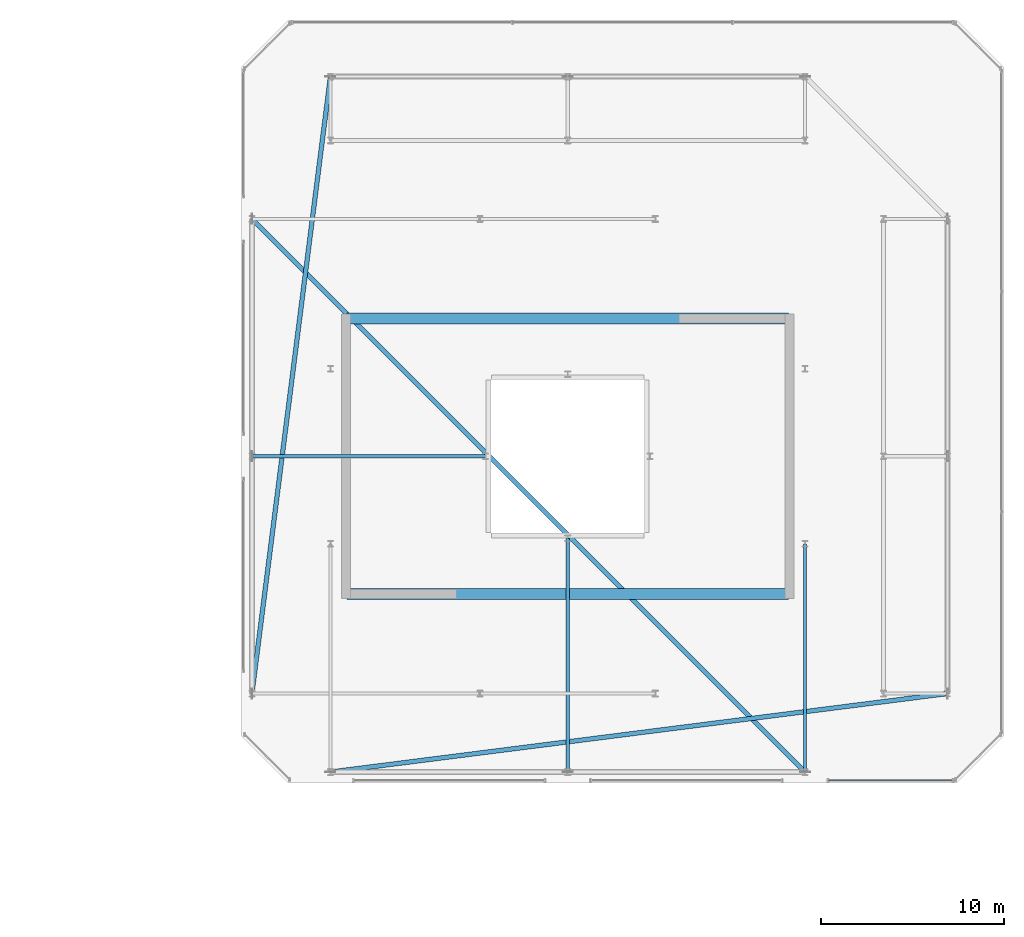
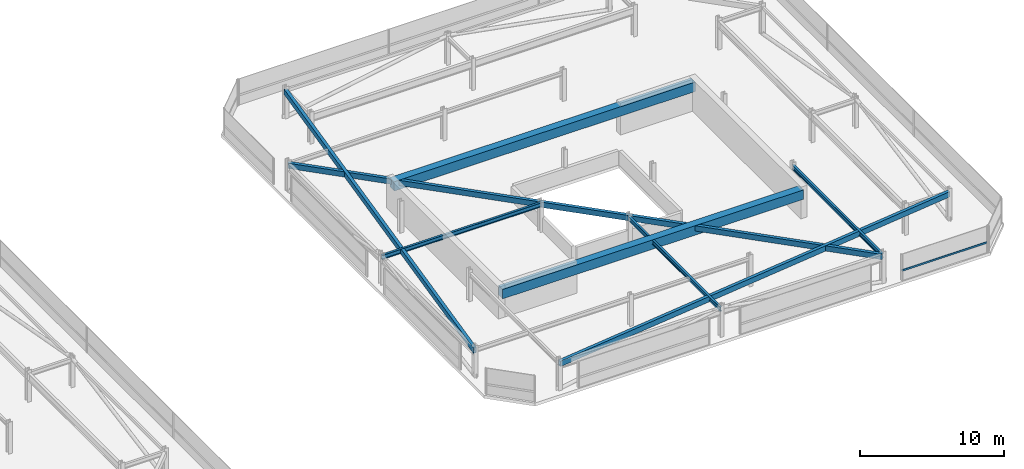
# One storey, part 30 of 42: 8 beams, 1 member, 1 element without a shape of its own.
"""IFC4 building model written with IfcOpenShell, lengths in metres."""

from ifc_helpers import new_model, si_unit, direction, frame, origin, origin_2d, place, context, subcontext, project, spatial, rectangle, hollow_rectangle, i_section, extrude, material, material_profile, profile_set, type_object, element, aggregate, save


model = new_model("IFC4")

# Units and contexts
model_context = context("Model", 3, precision=1e-05, world=origin(), true_north=direction((0.0, 1.0)))
body_context = subcontext(model_context, "Body", "Model", "MODEL_VIEW")
ifc_project = project(units=[si_unit("LENGTHUNIT", "METRE"), si_unit("AREAUNIT", "SQUARE_METRE"), si_unit("VOLUMEUNIT", "CUBIC_METRE"), si_unit("PLANEANGLEUNIT", "RADIAN"), si_unit("MASSUNIT", "GRAM", prefix="KILO")], contexts=[model_context])

# Site, building, storey
site_placement = place(None, origin())
site = spatial("IfcSite", under=ifc_project, at=site_placement, CompositionType="ELEMENT")
building_placement = place(site_placement, origin())
building = spatial("IfcBuilding", under=site, at=building_placement, Name="Thornwick Lancets Civic Towers", CompositionType="ELEMENT")
storey_placement = place(building_placement, frame((0.0, 0.0, 286.800048828125)))
storey = spatial("IfcBuildingStorey", under=building, at=storey_placement, Name="C03", CompositionType="ELEMENT", Elevation=286.800048828125)

# Beams
ifc_material_1 = material(Name="Concrete C60/75", Category="concrete")
ifc_material_profile_1 = material_profile(ifc_material_1, rectangle(XDim=0.60009765625, YDim=0.800048828125, at=origin_2d()), Name="RC 600x800")
ifc_profile_set_1 = profile_set([ifc_material_profile_1], Name="Concrete C60/75")
beam_type_1 = type_object("IfcBeamType", Name="BM_COUP_RC800", PredefinedType="BEAM", material=ifc_profile_set_1)
for number, where, z_axis, x_axis, name in (
    (1, (76.39990234375, 34.550048828125, 2.0400390625), (1.0, 0.0, 0.0), (0.0, 1.0, 0.0), "CB-C03-B1"),
    (2, (76.39990234375, 19.449951171875, 2.0400390625), (1.0, 0.0, 0.0), (0.0, 1.0, 0.0), "CB-C03-B2"),
):
    element("IfcBeam", number, at=place(storey_placement, frame(where, z_axis=z_axis, x_axis=x_axis)), inside=storey, type_object=beam_type_1, Name=name, PredefinedType="BEAM", context=body_context, shape_type="SweptSolid", body=[
        extrude(rectangle(XDim=0.60009765625, YDim=0.800048828125, at=origin_2d()), origin(), (0.0, 0.0, 1.0), 24.2001953125),
    ])
ifc_material_2 = material(Name="Steel S355JR", Category="steel")
ifc_material_profile_2 = material_profile(ifc_material_2, i_section(OverallWidth=0.173095703125, OverallDepth=0.36328125, WebThickness=0.009033203125, FlangeThickness=0.015625, FilletRadius=0.01025390625, at=origin_2d()), Name="UKB 356x171x67")
ifc_profile_set_2 = profile_set([ifc_material_profile_2], Name="Steel S355JR")
beam_type_2 = type_object("IfcBeamType", Name="BM_JOIST_356_67", PredefinedType="JOIST", material=ifc_profile_set_2)
beam_1_placement = place(storey_placement, frame((84.0, 27.0, 2.25830078125), z_axis=(-1.0, 0.0, 0.0), x_axis=(0.0, -1.0, 0.0)))
element("IfcBeam", 3, at=beam_1_placement, inside=storey, type_object=beam_type_2, Name="BM-RADIN-C03-B08", PredefinedType="JOIST", context=body_context, shape_type="SweptSolid", body=[
    extrude(i_section(OverallWidth=0.173095703125, OverallDepth=0.36328125, WebThickness=0.009033203125, FlangeThickness=0.015625, FilletRadius=0.01025390625, at=origin_2d()), origin(), (0.0, 0.0, 1.0), 12.800048828125),
])
beam_2_placement = place(storey_placement, frame((101.5, 22.199951171875, 2.25830078125), z_axis=(0.0, -1.0, 0.0), x_axis=(1.0, 0.0, 0.0)))
element("IfcBeam", 4, at=beam_2_placement, inside=storey, type_object=beam_type_2, Name="BM-RADIN-C03-B10", PredefinedType="JOIST", context=body_context, shape_type="SweptSolid", body=[
    extrude(i_section(OverallWidth=0.173095703125, OverallDepth=0.36328125, WebThickness=0.009033203125, FlangeThickness=0.015625, FilletRadius=0.01025390625, at=origin_2d()), origin(), (0.0, 0.0, 1.0), 12.5),
])
beam_3_placement = place(storey_placement, frame((88.5, 22.5, 2.25830078125), z_axis=(0.0, -1.0, 0.0), x_axis=(1.0, 0.0, 0.0)))
element("IfcBeam", 5, at=beam_3_placement, inside=storey, type_object=beam_type_2, Name="BM-RADIN-C03-B11", PredefinedType="JOIST", context=body_context, shape_type="SweptSolid", body=[
    extrude(i_section(OverallWidth=0.173095703125, OverallDepth=0.36328125, WebThickness=0.009033203125, FlangeThickness=0.015625, FilletRadius=0.01025390625, at=origin_2d()), origin(), (0.0, 0.0, 1.0), 12.800048828125),
])
ifc_material_profile_3 = material_profile(ifc_material_2, hollow_rectangle(XDim=0.25, YDim=0.449951171875, WallThickness=0.01611328125, at=origin_2d()), Name="RHS 450x250x16")
ifc_profile_set_3 = profile_set([ifc_material_profile_3], Name="Steel S355JR")
beam_type_3 = type_object("IfcBeamType", Name="BM_RING_RHS450", PredefinedType="BEAM", material=ifc_profile_set_3)
beam_4_placement = place(storey_placement, frame((75.5, 47.800048828125, 2.21484375), z_axis=(-0.126202998662, -0.992004437051, 0.0), x_axis=(0.992004437051, -0.126202998662, 0.0)))
element("IfcBeam", 6, at=beam_4_placement, inside=storey, type_object=beam_type_3, Name="BM-CHAMF-C03-B-C1", PredefinedType="BEAM", context=body_context, shape_type="SweptSolid", body=[
    extrude(hollow_rectangle(XDim=0.25, YDim=0.449951171875, WallThickness=0.01611328125, at=origin_2d()), origin(), (0.0, 0.0, 1.0), 34.072509765625),
])
beam_5_placement = place(storey_placement, frame((71.199951171875, 40.0, 2.21484375), z_axis=(0.707106781187, -0.707106781187, 0.0), x_axis=(0.707106781187, 0.707106781187, 0.0)))
element("IfcBeam", 7, at=beam_5_placement, inside=storey, type_object=beam_type_3, Name="BM-CHAMF-C03-B-C2", PredefinedType="BEAM", context=body_context, shape_type="SweptSolid", body=[
    extrude(hollow_rectangle(XDim=0.25, YDim=0.449951171875, WallThickness=0.01611328125, at=origin_2d()), origin(), (0.0, 0.0, 1.0), 42.850830078125),
])
beam_6_placement = place(storey_placement, frame((75.5, 9.699951171875, 2.21484375), z_axis=(0.992004437051, 0.126202998662, 0.0), x_axis=(-0.126202998662, 0.992004437051, 0.0)))
element("IfcBeam", 8, at=beam_6_placement, inside=storey, type_object=beam_type_3, Name="BM-CHAMF-C03-B-C3", PredefinedType="BEAM", context=body_context, shape_type="SweptSolid", body=[
    extrude(hollow_rectangle(XDim=0.25, YDim=0.449951171875, WallThickness=0.01611328125, at=origin_2d()), origin(), (0.0, 0.0, 1.0), 34.072509765625),
])

# Curtain wall, member
ifc_material_3 = material(Name="Crown ring acoustic-louvre and glazing screen wall", Category="glass")
curtain_wall_type = type_object("IfcCurtainWallType", Name="CW_SYS_07", PredefinedType="NOTDEFINED", material=ifc_material_3)
curtain_wall_placement = place(storey_placement, origin())
curtain_wall = element("IfcCurtainWall", 9, at=curtain_wall_placement, inside=storey, type_object=curtain_wall_type, Name="C03 Curtain Wall CW-C03-B-E0-S3", PredefinedType="NOTDEFINED")
ifc_material_4 = material(Name="Thermally broken bronze aluminium S355", Category="steel")
ifc_material_profile_4 = material_profile(ifc_material_4, hollow_rectangle(XDim=0.074951171875, YDim=0.14990234375, WallThickness=0.0048828125, at=origin_2d()), Name="RHS 150x75x5")
ifc_profile_set_4 = profile_set([ifc_material_profile_4], Name="Thermally broken bronze aluminium S355")
member_type = type_object("IfcMemberType", Name="CW_TRN_150", PredefinedType="USERDEFINED", material=ifc_profile_set_4)
member_placement = place(storey_placement, frame((102.77001953125, 9.2353515625, 0.849853515625), z_axis=(1.0, 0.0, 0.0), x_axis=(0.0, 1.0, 0.0)))
member = element("IfcMember", 10, at=member_placement, type_object=member_type, Name="CW-C03-B-E0-S3 Transom 0", ObjectType="TRANSOM", PredefinedType="USERDEFINED", context=body_context, shape_type="SweptSolid", body=[
    extrude(hollow_rectangle(XDim=0.074951171875, YDim=0.14990234375, WallThickness=0.0048828125, at=origin_2d()), origin(), (0.0, 0.0, 1.0), 6.811279296875),
])
aggregate(curtain_wall, [member])

save(model, "model.ifc")
